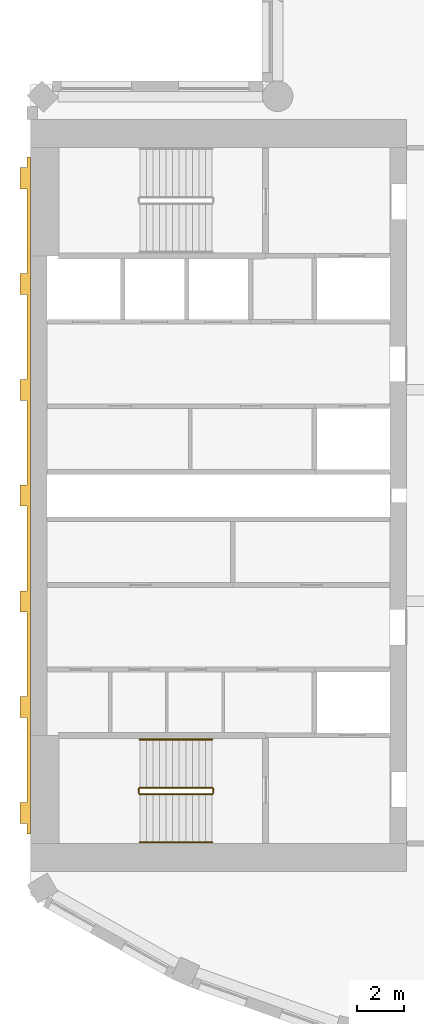
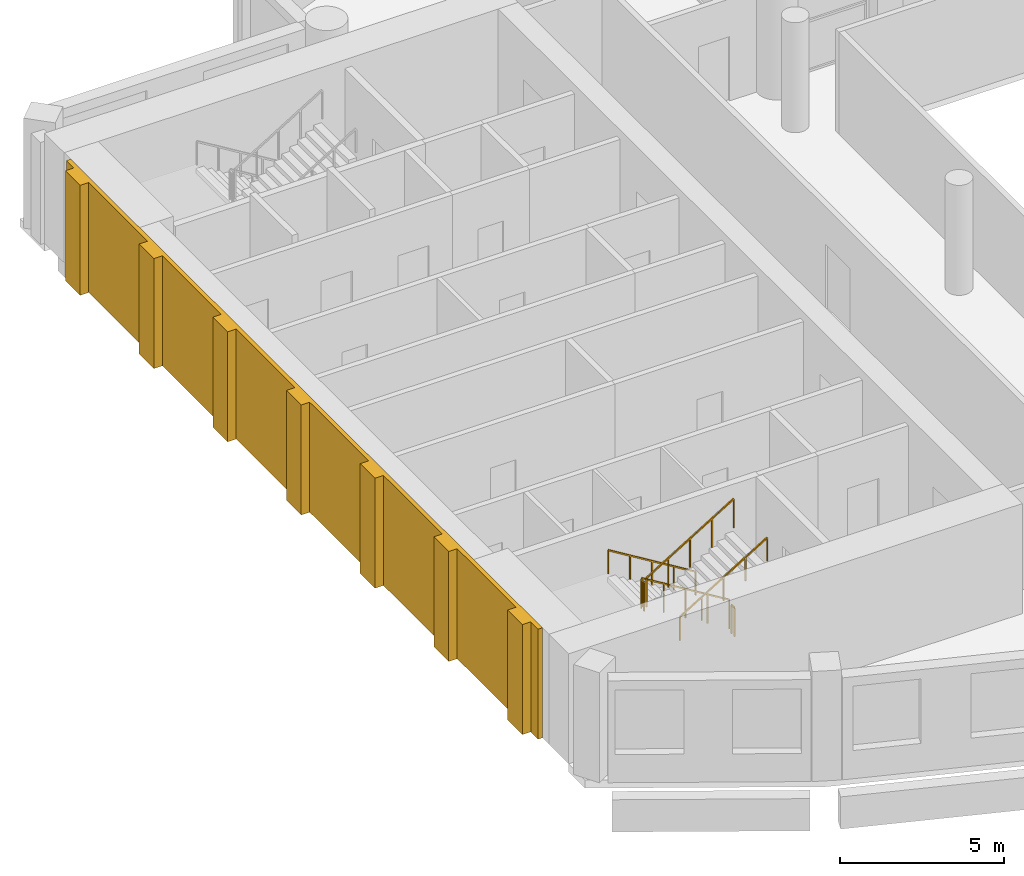
# One storey, part 10 of 14: 6 railings, 1 covering.
"""IFC4 building model written with IfcOpenShell, lengths in metres."""

from ifc_helpers import new_model, si_unit, direction, frame, origin, origin_2d, place, context, subcontext, project, spatial, polyline, rectangle, outline, extrude, material, layer, layer_set, type_object, element, save


model = new_model("IFC4")

# Units and contexts
model_context = context("Model", 3, precision=1e-05, world=origin(), true_north=direction((0.0, 1.0)))
body_context = subcontext(model_context, "Body", "Model", "MODEL_VIEW")
ifc_project = project(units=[si_unit("LENGTHUNIT", "METRE"), si_unit("AREAUNIT", "SQUARE_METRE"), si_unit("VOLUMEUNIT", "CUBIC_METRE"), si_unit("PLANEANGLEUNIT", "RADIAN"), si_unit("MASSUNIT", "GRAM", prefix="KILO")], contexts=[model_context])

# Site, building, storey
site_placement = place(None, origin())
site = spatial("IfcSite", under=ifc_project, at=site_placement, CompositionType="ELEMENT")
building_placement = place(site_placement, origin())
building = spatial("IfcBuilding", under=site, at=building_placement, Name="Cypress Arch Tower", CompositionType="ELEMENT")
storey_placement = place(building_placement, frame((0.0, 0.0, 247.5)))
storey = spatial("IfcBuildingStorey", under=building, at=storey_placement, Name="L55", CompositionType="ELEMENT", Elevation=247.5)

# Railings
ifc_material_1 = material(Name="Black powder-coated steel square bar 48 mm", Category="steel")
railing_type_1 = type_object("IfcRailingType", Name="Stair handrail HR1", PredefinedType="HANDRAIL", material=ifc_material_1)
railing_1_placement = place(storey_placement, frame((-22.27490234375, -10.375, 0.1708984375)))
element("IfcRailing", 1, at=railing_1_placement, inside=storey, type_object=railing_type_1, Name="L55 A stair handrail 1", PredefinedType="HANDRAIL", context=body_context, shape_type="SweptSolid", body=[
    extrude(rectangle(XDim=0.048095703125, YDim=0.048095703125, at=origin_2d()), frame((0.0, 0.0, 0.8759765625), z_axis=(-0.853666305674, 0.0, 0.52082035152), x_axis=(0.0, -1.0, 0.0)), (0.0, 0.0, 1.0), 3.608154296875),
    extrude(rectangle(XDim=0.0419921875, YDim=0.0419921875, at=origin_2d()), origin(), (0.0, 0.0, 1.0), 0.851806640625),
    extrude(rectangle(XDim=0.0419921875, YDim=0.0419921875, at=origin_2d()), frame((-0.77001953125, 0.0, 0.4697265625)), (0.0, 0.0, 1.0), 0.851806640625),
    extrude(rectangle(XDim=0.0419921875, YDim=0.0419921875, at=origin_2d()), frame((-1.5400390625, 0.0, 0.939453125)), (0.0, 0.0, 1.0), 0.851806640625),
    extrude(rectangle(XDim=0.0419921875, YDim=0.0419921875, at=origin_2d()), frame((-2.31005859375, 0.0, 1.409423828125)), (0.0, 0.0, 1.0), 0.851806640625),
    extrude(rectangle(XDim=0.0419921875, YDim=0.0419921875, at=origin_2d()), frame((-3.080078125, 0.0, 1.879150390625)), (0.0, 0.0, 1.0), 0.851806640625),
])
railing_2_placement = place(storey_placement, frame((-25.35498046875, -14.75, 2.220947265625)))
element("IfcRailing", 2, at=railing_2_placement, inside=storey, type_object=railing_type_1, Name="L55 A stair handrail 2", PredefinedType="HANDRAIL", context=body_context, shape_type="SweptSolid", body=[
    extrude(rectangle(XDim=0.048095703125, YDim=0.048095703125, at=origin_2d()), frame((0.0, 0.0, 0.8759765625), z_axis=(0.853666305674, 0.0, 0.52082035152), x_axis=(0.0, 1.0, 0.0)), (0.0, 0.0, 1.0), 3.608154296875),
    extrude(rectangle(XDim=0.0419921875, YDim=0.0419921875, at=origin_2d()), origin(), (0.0, 0.0, 1.0), 0.851806640625),
    extrude(rectangle(XDim=0.0419921875, YDim=0.0419921875, at=origin_2d()), frame((0.77001953125, 0.0, 0.4697265625)), (0.0, 0.0, 1.0), 0.851806640625),
    extrude(rectangle(XDim=0.0419921875, YDim=0.0419921875, at=origin_2d()), frame((1.5400390625, 0.0, 0.939453125)), (0.0, 0.0, 1.0), 0.851806640625),
    extrude(rectangle(XDim=0.0419921875, YDim=0.0419921875, at=origin_2d()), frame((2.31005859375, 0.0, 1.409423828125)), (0.0, 0.0, 1.0), 0.851806640625),
    extrude(rectangle(XDim=0.0419921875, YDim=0.0419921875, at=origin_2d()), frame((3.080078125, 0.0, 1.879150390625)), (0.0, 0.0, 1.0), 0.851806640625),
])
ifc_material_2 = material(Name="Black powder-coated steel balusters", Category="steel")
railing_type_2 = type_object("IfcRailingType", Name="Stair well guard G1", PredefinedType="GUARDRAIL", material=ifc_material_2)
railing_3_placement = place(storey_placement, frame((-22.27490234375, -12.425048828125, 0.1708984375)))
element("IfcRailing", 3, at=railing_3_placement, inside=storey, type_object=railing_type_2, Name="L55 A stair guard 1", PredefinedType="GUARDRAIL", context=body_context, shape_type="SweptSolid", body=[
    extrude(rectangle(XDim=0.048095703125, YDim=0.048095703125, at=origin_2d()), frame((0.0, 0.0, 1.076171875), z_axis=(-0.853666305674, 0.0, 0.52082035152), x_axis=(0.0, -1.0, 0.0)), (0.0, 0.0, 1.0), 3.608154296875),
    extrude(rectangle(XDim=0.0419921875, YDim=0.0419921875, at=origin_2d()), origin(), (0.0, 0.0, 1.0), 1.052001953125),
    extrude(rectangle(XDim=0.0419921875, YDim=0.0419921875, at=origin_2d()), frame((-0.77001953125, 0.0, 0.4697265625)), (0.0, 0.0, 1.0), 1.052001953125),
    extrude(rectangle(XDim=0.0419921875, YDim=0.0419921875, at=origin_2d()), frame((-1.5400390625, 0.0, 0.939453125)), (0.0, 0.0, 1.0), 1.052001953125),
    extrude(rectangle(XDim=0.0419921875, YDim=0.0419921875, at=origin_2d()), frame((-2.31005859375, 0.0, 1.409423828125)), (0.0, 0.0, 1.0), 1.052001953125),
    extrude(rectangle(XDim=0.0419921875, YDim=0.0419921875, at=origin_2d()), frame((-3.080078125, 0.0, 1.879150390625)), (0.0, 0.0, 1.0), 1.052001953125),
])
railing_4_placement = place(storey_placement, frame((-25.405029296875, -12.47509765625, 2.050048828125)))
element("IfcRailing", 4, at=railing_4_placement, inside=storey, type_object=railing_type_2, Name="L55 A stair guard 2", PredefinedType="GUARDRAIL", context=body_context, shape_type="SweptSolid", body=[
    extrude(rectangle(XDim=0.048095703125, YDim=0.048095703125, at=origin_2d()), frame((0.0, 0.0, 1.076171875), z_axis=(0.0, -1.0, 0.0), x_axis=(1.0, 0.0, 0.0)), (0.0, 0.0, 1.0), 0.1748046875),
    extrude(rectangle(XDim=0.0419921875, YDim=0.0419921875, at=origin_2d()), origin(), (0.0, 0.0, 1.0), 1.052001953125),
    extrude(rectangle(XDim=0.0419921875, YDim=0.0419921875, at=origin_2d()), frame((0.0, -0.1748046875, 0.0)), (0.0, 0.0, 1.0), 1.052001953125),
])
railing_5_placement = place(storey_placement, frame((-25.35498046875, -12.699951171875, 2.220947265625)))
element("IfcRailing", 5, at=railing_5_placement, inside=storey, type_object=railing_type_2, Name="L55 A stair guard 3", PredefinedType="GUARDRAIL", context=body_context, shape_type="SweptSolid", body=[
    extrude(rectangle(XDim=0.048095703125, YDim=0.048095703125, at=origin_2d()), frame((0.0, 0.0, 1.076171875), z_axis=(0.853666305674, 0.0, 0.52082035152), x_axis=(0.0, 1.0, 0.0)), (0.0, 0.0, 1.0), 3.608154296875),
    extrude(rectangle(XDim=0.0419921875, YDim=0.0419921875, at=origin_2d()), origin(), (0.0, 0.0, 1.0), 1.052001953125),
    extrude(rectangle(XDim=0.0419921875, YDim=0.0419921875, at=origin_2d()), frame((0.77001953125, 0.0, 0.4697265625)), (0.0, 0.0, 1.0), 1.052001953125),
    extrude(rectangle(XDim=0.0419921875, YDim=0.0419921875, at=origin_2d()), frame((1.5400390625, 0.0, 0.939453125)), (0.0, 0.0, 1.0), 1.052001953125),
    extrude(rectangle(XDim=0.0419921875, YDim=0.0419921875, at=origin_2d()), frame((2.31005859375, 0.0, 1.409423828125)), (0.0, 0.0, 1.0), 1.052001953125),
    extrude(rectangle(XDim=0.0419921875, YDim=0.0419921875, at=origin_2d()), frame((3.080078125, 0.0, 1.879150390625)), (0.0, 0.0, 1.0), 1.052001953125),
])
railing_6_placement = place(storey_placement, frame((-22.22509765625, -12.47509765625, 0.0)))
element("IfcRailing", 6, at=railing_6_placement, inside=storey, type_object=railing_type_2, Name="L55 A stair guard 4", PredefinedType="GUARDRAIL", context=body_context, shape_type="SweptSolid", body=[
    extrude(rectangle(XDim=0.048095703125, YDim=0.048095703125, at=origin_2d()), frame((0.0, 0.0, 1.076171875), z_axis=(0.0, -1.0, 0.0), x_axis=(1.0, 0.0, 0.0)), (0.0, 0.0, 1.0), 0.1748046875),
    extrude(rectangle(XDim=0.0419921875, YDim=0.0419921875, at=origin_2d()), origin(), (0.0, 0.0, 1.0), 1.052001953125),
    extrude(rectangle(XDim=0.0419921875, YDim=0.0419921875, at=origin_2d()), frame((0.0, -0.1748046875, 0.0)), (0.0, 0.0, 1.0), 1.052001953125),
])

# Covering
ifc_material_3 = material(Name="Brick (red buff blend)", Category="masonry")
ifc_layer = layer(ifc_material_3, 0.449951171875)
ifc_layer_set = layer_set([ifc_layer], Name="West face brick piers WP450")
covering_type = type_object("IfcCoveringType", Name="West face brick piers WP450", PredefinedType="CLADDING", material=ifc_layer_set)
covering_placement = place(storey_placement, origin())
element("IfcCovering", 7, at=covering_placement, inside=storey, type_object=covering_type, Name="West face brick piers L55", PredefinedType="CLADDING", context=body_context, shape_type="SweptSolid", body=[
    extrude(outline(polyline([(-30.14990234375, -13.050048828125), (-30.14990234375, -9.449951171875), (-30.449951171875, -9.449951171875), (-30.449951171875, -8.550048828125), (-30.14990234375, -8.550048828125), (-30.14990234375, -4.949951171875), (-30.449951171875, -4.949951171875), (-30.449951171875, -4.050048828125), (-30.14990234375, -4.050048828125), (-30.14990234375, -0.449951171875), (-30.449951171875, -0.449951171875), (-30.449951171875, 0.449951171875), (-30.14990234375, 0.449951171875), (-30.14990234375, 4.050048828125), (-30.449951171875, 4.050048828125), (-30.449951171875, 4.949951171875), (-30.14990234375, 4.949951171875), (-30.14990234375, 8.550048828125), (-30.449951171875, 8.550048828125), (-30.449951171875, 9.449951171875), (-30.14990234375, 9.449951171875), (-30.14990234375, 13.050048828125), (-30.449951171875, 13.050048828125), (-30.449951171875, 13.949951171875), (-30.14990234375, 13.949951171875), (-30.14990234375, 14.39990234375), (-30.0, 14.39990234375), (-30.0, -14.39990234375), (-30.14990234375, -14.39990234375), (-30.14990234375, -13.949951171875), (-30.449951171875, -13.949951171875), (-30.449951171875, -13.050048828125), (-30.14990234375, -13.050048828125)])), origin(), (0.0, 0.0, 1.0), 4.10009765625),
])

save(model, "model.ifc")
